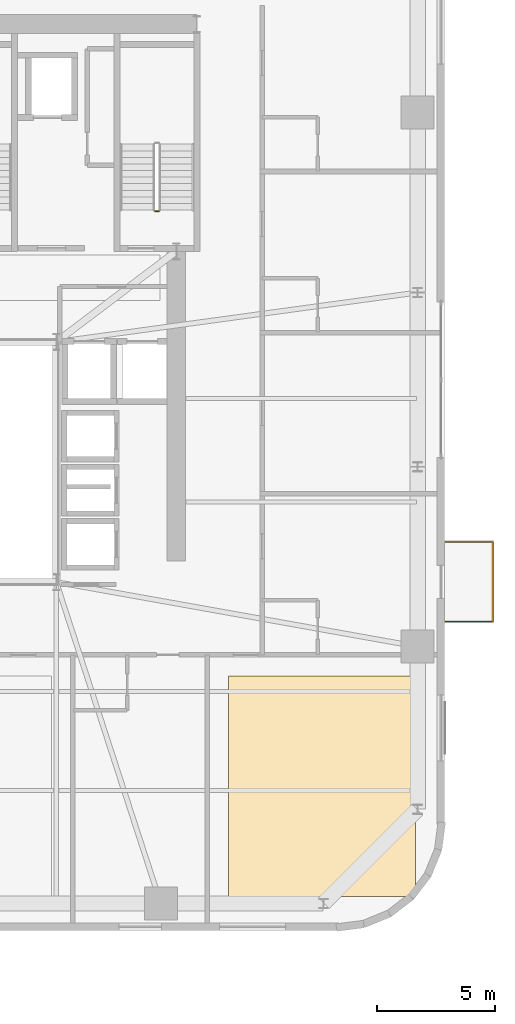
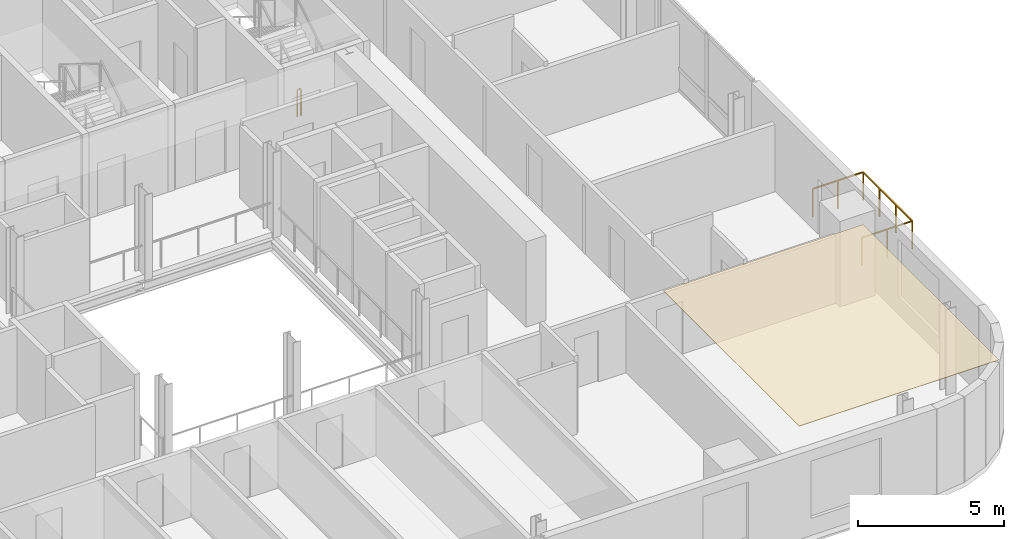
# One storey, part 14 of 16: 2 railings, 1 covering.
"""IFC4 building model written with IfcOpenShell, lengths in metres."""

from ifc_helpers import new_model, si_unit, direction, frame, origin, origin_2d, place, context, subcontext, project, spatial, polyline, rectangle, outline, extrude, source, transform, mapped, material, layer, layer_set, type_object, element, save


model = new_model("IFC4")

# Units and contexts
model_context = context("Model", 3, precision=1e-05, world=origin(), true_north=direction((0.0, 1.0)))
body_context = subcontext(model_context, "Body", "Model", "MODEL_VIEW")
ifc_project = project(units=[si_unit("LENGTHUNIT", "METRE"), si_unit("AREAUNIT", "SQUARE_METRE"), si_unit("VOLUMEUNIT", "CUBIC_METRE"), si_unit("PLANEANGLEUNIT", "RADIAN"), si_unit("MASSUNIT", "GRAM", prefix="KILO")], contexts=[model_context])

# Site, building, storey
site_placement = place(None, origin())
site = spatial("IfcSite", under=ifc_project, at=site_placement, CompositionType="ELEMENT")
building_placement = place(site_placement, origin())
building = spatial("IfcBuilding", under=site, at=building_placement, Name="Vardaveli Station Tower", CompositionType="ELEMENT")
storey_placement = place(building_placement, frame((0.0, 0.0, 181.0)))
storey = spatial("IfcBuildingStorey", under=building, at=storey_placement, Name="L46", CompositionType="ELEMENT", Elevation=181.0)

# Covering
ifc_material_1 = material(Name="Perforated acoustic mineral ceiling")
ifc_layer = layer(ifc_material_1, 0.02001953125, Name="Perforated acoustic mineral ceiling")
ifc_layer_set = layer_set([ifc_layer], Name="Perforated acoustic mineral ceiling")
covering_type = type_object("IfcCoveringType", Name="COV-CEIL-AC20", PredefinedType="CEILING", material=ifc_layer_set)
covering_placement = place(storey_placement, frame((0.0, 0.0, 3.56494140625)))
element("IfcCovering", 1, at=covering_placement, inside=storey, type_object=covering_type, Name="CEIL-L46-7", PredefinedType="CEILING", context=body_context, shape_type="SweptSolid", body=[
    extrude(outline(polyline([(48.719970703125, 3.25), (56.64990234375, 3.25), (56.64990234375, 12.610107421875), (48.719970703125, 12.610107421875), (48.719970703125, 3.25)])), origin(), (0.0, 0.0, 1.0), 0.02001953125),
])

# Railings
ifc_material_2 = material(Name="Laminated glass and stainless steel balustrade", Category="steel")
railing_type_1 = type_object("IfcRailingType", Name="RL-BAL-1200", PredefinedType="BALUSTRADE", material=ifc_material_2)
shared_shape_1 = source(origin(), body_context, "Body", "SweptSolid", [
    extrude(rectangle(XDim=0.048095703125, YDim=0.048095703125, at=origin_2d()), frame((0.0, 0.0, 1.17578125), z_axis=(1.0, 0.0, 0.0), x_axis=(0.0, 1.0, 0.0)), (0.0, 0.0, 1.0), 2.0),
    extrude(rectangle(XDim=0.048095703125, YDim=0.048095703125, at=origin_2d()), frame((2.0, 0.0, 1.17578125), z_axis=(0.0, 1.0, 0.0), x_axis=(-1.0, 0.0, 0.0)), (0.0, 0.0, 1.0), 3.3798828125),
    extrude(rectangle(XDim=0.048095703125, YDim=0.048095703125, at=origin_2d()), frame((2.0, 3.3798828125, 1.17578125), z_axis=(-1.0, 0.0, 0.0), x_axis=(0.0, -1.0, 0.0)), (0.0, 0.0, 1.0), 2.0),
    extrude(rectangle(XDim=0.0419921875, YDim=0.0419921875, at=origin_2d()), origin(), (0.0, 0.0, 1.0), 1.15185546875),
    extrude(rectangle(XDim=0.0419921875, YDim=0.0419921875, at=origin_2d()), frame((1.0, 0.0, 0.0)), (0.0, 0.0, 1.0), 1.15185546875),
    extrude(rectangle(XDim=0.0419921875, YDim=0.0419921875, at=origin_2d()), frame((2.0, 0.0, 0.0)), (0.0, 0.0, 1.0), 1.15185546875),
    extrude(rectangle(XDim=0.0419921875, YDim=0.0419921875, at=origin_2d()), frame((2.0, 1.126708984375, 0.0)), (0.0, 0.0, 1.0), 1.15185546875),
    extrude(rectangle(XDim=0.0419921875, YDim=0.0419921875, at=origin_2d()), frame((2.0, 2.253173828125, 0.0)), (0.0, 0.0, 1.0), 1.15185546875),
    extrude(rectangle(XDim=0.0419921875, YDim=0.0419921875, at=origin_2d()), frame((2.0, 3.3798828125, 0.0)), (0.0, 0.0, 1.0), 1.15185546875),
    extrude(rectangle(XDim=0.0419921875, YDim=0.0419921875, at=origin_2d()), frame((1.0, 3.3798828125, 0.0)), (0.0, 0.0, 1.0), 1.15185546875),
    extrude(rectangle(XDim=0.0419921875, YDim=0.0419921875, at=origin_2d()), frame((0.0, 3.3798828125, 0.0)), (0.0, 0.0, 1.0), 1.15185546875),
])
railing_1_placement = place(storey_placement, frame((57.93994140625, 14.92041015625, 0.0)))
element("IfcRailing", 2, at=railing_1_placement, inside=storey, type_object=railing_type_1, Name="RL-LOG-L46-04", PredefinedType="BALUSTRADE", context=body_context, shape_type="MappedRepresentation", body=[
    mapped(shared_shape_1, transform((0.0, 0.0, 0.0), scale=1.0)),
])
ifc_material_3 = material(Name="Brushed AISI 316 stainless steel", Category="steel")
railing_type_2 = type_object("IfcRailingType", Name="RL-GUARD-1150", PredefinedType="GUARDRAIL", material=ifc_material_3)
shared_shape_2 = source(origin(), body_context, "Body", "SweptSolid", [
    extrude(rectangle(XDim=0.048095703125, YDim=0.048095703125, at=origin_2d()), frame((0.0, 0.0, 1.1259765625), z_axis=(-1.0, 0.0, 0.0), x_axis=(0.0, -1.0, 0.0)), (0.0, 0.0, 1.0), 0.14990234375),
    extrude(rectangle(XDim=0.0419921875, YDim=0.0419921875, at=origin_2d()), origin(), (0.0, 0.0, 1.0), 1.101806640625),
    extrude(rectangle(XDim=0.0419921875, YDim=0.0419921875, at=origin_2d()), frame((-0.14990234375, 0.0, 0.0)), (0.0, 0.0, 1.0), 1.101806640625),
])
railing_2_placement = place(storey_placement, frame((45.75, 32.35009765625, 0.0)))
element("IfcRailing", 3, at=railing_2_placement, inside=storey, type_object=railing_type_2, Name="L46 ST-3 stair guard 4", PredefinedType="GUARDRAIL", context=body_context, shape_type="MappedRepresentation", body=[
    mapped(shared_shape_2, transform((0.0, 0.0, 0.0), scale=1.0)),
])

save(model, "model.ifc")
